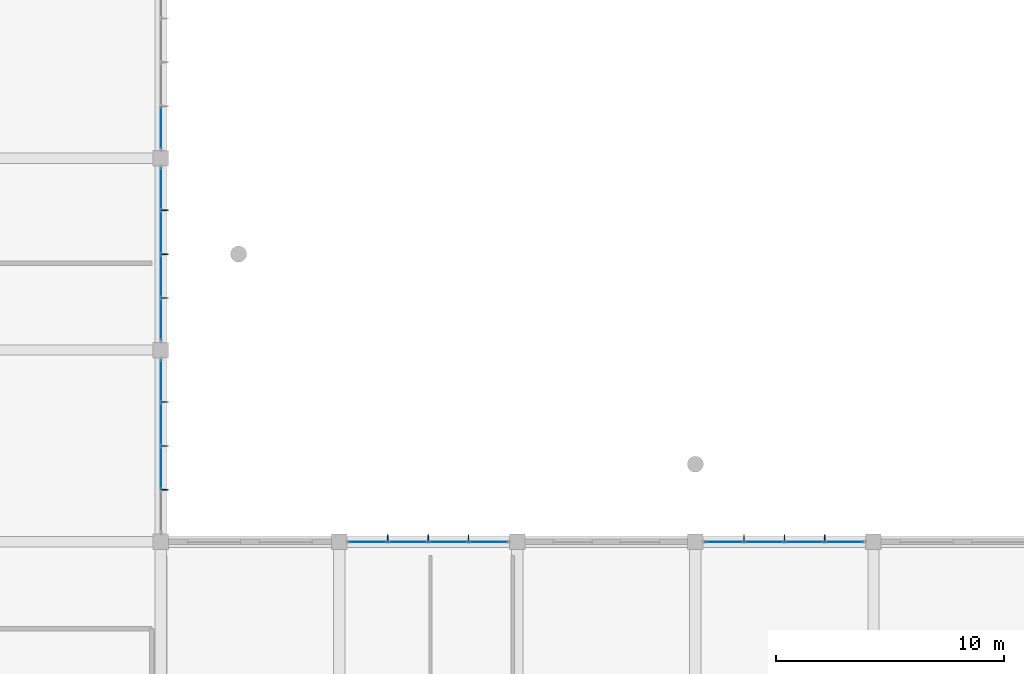
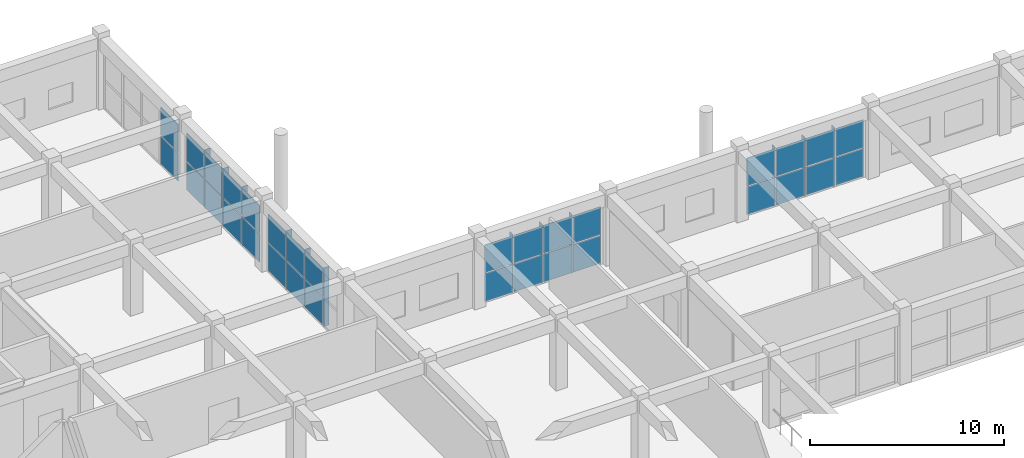
# One storey, part 151 of 175: 44 plates, 5 elements without a shape of their own.
"""IFC4 building model written with IfcOpenShell, lengths in metres."""

from ifc_helpers import new_model, si_unit, direction, frame, origin, origin_2d, place, context, subcontext, project, spatial, polyline, rectangle, outline, extrude, material, layer, layer_set, type_object, element, aggregate, save


model = new_model("IFC4")

# Units and contexts
model_context = context("Model", 3, precision=1e-05, world=origin(), true_north=direction((0.0, 1.0)))
body_context = subcontext(model_context, "Body", "Model", "MODEL_VIEW")
ifc_project = project(units=[si_unit("LENGTHUNIT", "METRE"), si_unit("AREAUNIT", "SQUARE_METRE"), si_unit("VOLUMEUNIT", "CUBIC_METRE"), si_unit("PLANEANGLEUNIT", "RADIAN"), si_unit("MASSUNIT", "GRAM", prefix="KILO")], contexts=[model_context])

# Site, building, storey
site_placement = place(None, origin())
site = spatial("IfcSite", under=ifc_project, at=site_placement, CompositionType="ELEMENT")
building_placement = place(site_placement, origin())
building = spatial("IfcBuilding", under=site, at=building_placement, Name="Zizhar Promenade General Hospital", CompositionType="ELEMENT")
storey_placement = place(building_placement, frame((0.0, 0.0, 4.800048828125)))
storey = spatial("IfcBuildingStorey", under=building, at=storey_placement, Name="L01", CompositionType="ELEMENT", Elevation=4.800048828125)

# Curtain wall, plates
ifc_material_1 = material(Name="Anodised aluminium 6063-T6 and low-E glass", Category="aluminium")
ifc_layer_1 = layer(ifc_material_1, 0.159912109375)
ifc_layer_set_1 = layer_set([ifc_layer_1], Name="Anodised aluminium 6063-T6 and low-E glass")
curtain_wall_type_1 = type_object("IfcCurtainWallType", Name="CW-DT-MOD1", PredefinedType="NOTDEFINED", material=ifc_layer_set_1)
curtain_wall_1_placement = place(storey_placement, origin())
curtain_wall_1 = element("IfcCurtainWall", 1, at=curtain_wall_1_placement, inside=storey, type_object=curtain_wall_type_1, Name="Surgical East Glazed Curtain Wall L01-13", PredefinedType="NOTDEFINED")
ifc_material_2 = material(Name="Low-E solar-control glass", Category="glass")
ifc_layer_2 = layer(ifc_material_2, 0.031982421875)
ifc_layer_set_2 = layer_set([ifc_layer_2], Name="Low-E solar-control glass")
plate_type_1 = type_object("IfcPlateType", Name="CWP-GLZ-32", PredefinedType="CURTAIN_PANEL", material=ifc_layer_set_2)
plate_1_placement = place(storey_placement, frame((132.60009765625, 116.260009765625, 0.06005859375), z_axis=(0.0, 0.0, 1.0), x_axis=(0.0, -1.0, 0.0)))
plate_1 = element("IfcPlate", 2, at=plate_1_placement, type_object=plate_type_1, Name="CW-07 panel 1.1", PredefinedType="CURTAIN_PANEL", context=body_context, shape_type="SweptSolid", body=[
    extrude(rectangle(XDim=1.800048828125, YDim=0.031982421875, at=origin_2d()), origin(), (0.0, 0.0, 1.0), 1.75),
])
plate_2_placement = place(storey_placement, frame((132.60009765625, 116.260009765625, 1.869873046875), z_axis=(0.0, 0.0, 1.0), x_axis=(0.0, -1.0, 0.0)))
plate_2 = element("IfcPlate", 3, at=plate_2_placement, type_object=plate_type_1, Name="CW-07 panel 1.2", PredefinedType="CURTAIN_PANEL", context=body_context, shape_type="SweptSolid", body=[
    extrude(rectangle(XDim=1.800048828125, YDim=0.031982421875, at=origin_2d()), origin(), (0.0, 0.0, 1.0), 1.75),
])
plate_3_placement = place(storey_placement, frame((132.60009765625, 114.360107421875, 0.06005859375), z_axis=(0.0, 0.0, 1.0), x_axis=(0.0, -1.0, 0.0)))
plate_3 = element("IfcPlate", 4, at=plate_3_placement, type_object=plate_type_1, Name="CW-07 panel 2.1", PredefinedType="CURTAIN_PANEL", context=body_context, shape_type="SweptSolid", body=[
    extrude(rectangle(XDim=1.840087890625, YDim=0.031982421875, at=origin_2d()), origin(), (0.0, 0.0, 1.0), 1.75),
])
plate_4_placement = place(storey_placement, frame((132.60009765625, 114.360107421875, 1.869873046875), z_axis=(0.0, 0.0, 1.0), x_axis=(0.0, -1.0, 0.0)))
plate_4 = element("IfcPlate", 5, at=plate_4_placement, type_object=plate_type_1, Name="CW-07 panel 2.2", PredefinedType="CURTAIN_PANEL", context=body_context, shape_type="SweptSolid", body=[
    extrude(rectangle(XDim=1.840087890625, YDim=0.031982421875, at=origin_2d()), origin(), (0.0, 0.0, 1.0), 1.75),
])
plate_5_placement = place(storey_placement, frame((132.60009765625, 112.43994140625, 0.06005859375), z_axis=(0.0, 0.0, 1.0), x_axis=(0.0, -1.0, 0.0)))
plate_5 = element("IfcPlate", 6, at=plate_5_placement, type_object=plate_type_1, Name="CW-07 panel 3.1", PredefinedType="CURTAIN_PANEL", context=body_context, shape_type="SweptSolid", body=[
    extrude(rectangle(XDim=1.840087890625, YDim=0.031982421875, at=origin_2d()), origin(), (0.0, 0.0, 1.0), 1.75),
])
plate_6_placement = place(storey_placement, frame((132.60009765625, 112.43994140625, 1.869873046875), z_axis=(0.0, 0.0, 1.0), x_axis=(0.0, -1.0, 0.0)))
plate_6 = element("IfcPlate", 7, at=plate_6_placement, type_object=plate_type_1, Name="CW-07 panel 3.2", PredefinedType="CURTAIN_PANEL", context=body_context, shape_type="SweptSolid", body=[
    extrude(rectangle(XDim=1.840087890625, YDim=0.031982421875, at=origin_2d()), origin(), (0.0, 0.0, 1.0), 1.75),
])
aggregate(curtain_wall_1, [plate_1, plate_2, plate_3, plate_4, plate_5, plate_6])

curtain_wall_2_placement = place(storey_placement, origin())
curtain_wall_2 = element("IfcCurtainWall", 8, at=curtain_wall_2_placement, inside=storey, type_object=curtain_wall_type_1, Name="Surgical East Glazed Curtain Wall L01-14", PredefinedType="NOTDEFINED")
plate_7_placement = place(storey_placement, frame((132.60009765625, 124.659912109375, 0.06005859375), z_axis=(0.0, 0.0, 1.0), x_axis=(0.0, -1.0, 0.0)))
plate_7 = element("IfcPlate", 9, at=plate_7_placement, type_object=plate_type_1, Name="CW-07 panel 1.1", PredefinedType="CURTAIN_PANEL", context=body_context, shape_type="SweptSolid", body=[
    extrude(rectangle(XDim=1.800048828125, YDim=0.031982421875, at=origin_2d()), origin(), (0.0, 0.0, 1.0), 1.75),
])
plate_8_placement = place(storey_placement, frame((132.60009765625, 124.659912109375, 1.869873046875), z_axis=(0.0, 0.0, 1.0), x_axis=(0.0, -1.0, 0.0)))
plate_8 = element("IfcPlate", 10, at=plate_8_placement, type_object=plate_type_1, Name="CW-07 panel 1.2", PredefinedType="CURTAIN_PANEL", context=body_context, shape_type="SweptSolid", body=[
    extrude(rectangle(XDim=1.800048828125, YDim=0.031982421875, at=origin_2d()), origin(), (0.0, 0.0, 1.0), 1.75),
])
plate_9_placement = place(storey_placement, frame((132.60009765625, 122.760009765625, 0.06005859375), z_axis=(0.0, 0.0, 1.0), x_axis=(0.0, -1.0, 0.0)))
plate_9 = element("IfcPlate", 11, at=plate_9_placement, type_object=plate_type_1, Name="CW-07 panel 2.1", PredefinedType="CURTAIN_PANEL", context=body_context, shape_type="SweptSolid", body=[
    extrude(rectangle(XDim=1.840087890625, YDim=0.031982421875, at=origin_2d()), origin(), (0.0, 0.0, 1.0), 1.75),
])
plate_10_placement = place(storey_placement, frame((132.60009765625, 122.760009765625, 1.869873046875), z_axis=(0.0, 0.0, 1.0), x_axis=(0.0, -1.0, 0.0)))
plate_10 = element("IfcPlate", 12, at=plate_10_placement, type_object=plate_type_1, Name="CW-07 panel 2.2", PredefinedType="CURTAIN_PANEL", context=body_context, shape_type="SweptSolid", body=[
    extrude(rectangle(XDim=1.840087890625, YDim=0.031982421875, at=origin_2d()), origin(), (0.0, 0.0, 1.0), 1.75),
])
plate_11_placement = place(storey_placement, frame((132.60009765625, 120.840087890625, 0.06005859375), z_axis=(0.0, 0.0, 1.0), x_axis=(0.0, -1.0, 0.0)))
plate_11 = element("IfcPlate", 13, at=plate_11_placement, type_object=plate_type_1, Name="CW-07 panel 3.1", PredefinedType="CURTAIN_PANEL", context=body_context, shape_type="SweptSolid", body=[
    extrude(rectangle(XDim=1.840087890625, YDim=0.031982421875, at=origin_2d()), origin(), (0.0, 0.0, 1.0), 1.75),
])
plate_12_placement = place(storey_placement, frame((132.60009765625, 120.840087890625, 1.869873046875), z_axis=(0.0, 0.0, 1.0), x_axis=(0.0, -1.0, 0.0)))
plate_12 = element("IfcPlate", 14, at=plate_12_placement, type_object=plate_type_1, Name="CW-07 panel 3.2", PredefinedType="CURTAIN_PANEL", context=body_context, shape_type="SweptSolid", body=[
    extrude(rectangle(XDim=1.840087890625, YDim=0.031982421875, at=origin_2d()), origin(), (0.0, 0.0, 1.0), 1.75),
])
plate_13_placement = place(storey_placement, frame((132.60009765625, 118.93994140625, 0.06005859375), z_axis=(0.0, 0.0, 1.0), x_axis=(0.0, -1.0, 0.0)))
plate_13 = element("IfcPlate", 15, at=plate_13_placement, type_object=plate_type_1, Name="CW-07 panel 4.1", PredefinedType="CURTAIN_PANEL", context=body_context, shape_type="SweptSolid", body=[
    extrude(rectangle(XDim=1.800048828125, YDim=0.031982421875, at=origin_2d()), origin(), (0.0, 0.0, 1.0), 1.75),
])
plate_14_placement = place(storey_placement, frame((132.60009765625, 118.93994140625, 1.869873046875), z_axis=(0.0, 0.0, 1.0), x_axis=(0.0, -1.0, 0.0)))
plate_14 = element("IfcPlate", 16, at=plate_14_placement, type_object=plate_type_1, Name="CW-07 panel 4.2", PredefinedType="CURTAIN_PANEL", context=body_context, shape_type="SweptSolid", body=[
    extrude(rectangle(XDim=1.800048828125, YDim=0.031982421875, at=origin_2d()), origin(), (0.0, 0.0, 1.0), 1.75),
])
aggregate(curtain_wall_2, [plate_7, plate_8, plate_9, plate_10, plate_11, plate_12, plate_13, plate_14])

curtain_wall_3_placement = place(storey_placement, origin())
curtain_wall_3 = element("IfcCurtainWall", 17, at=curtain_wall_3_placement, inside=storey, type_object=curtain_wall_type_1, Name="Surgical East Glazed Curtain Wall L01-15", PredefinedType="NOTDEFINED")
plate_15_placement = place(storey_placement, frame((132.60009765625, 127.340087890625, 0.06005859375), z_axis=(0.0, 0.0, 1.0), x_axis=(0.0, -1.0, 0.0)))
plate_15 = element("IfcPlate", 18, at=plate_15_placement, type_object=plate_type_1, Name="CW-07 panel 4.1", PredefinedType="CURTAIN_PANEL", context=body_context, shape_type="SweptSolid", body=[
    extrude(rectangle(XDim=1.800048828125, YDim=0.031982421875, at=origin_2d()), origin(), (0.0, 0.0, 1.0), 1.75),
])
plate_16_placement = place(storey_placement, frame((132.60009765625, 127.340087890625, 1.869873046875), z_axis=(0.0, 0.0, 1.0), x_axis=(0.0, -1.0, 0.0)))
plate_16 = element("IfcPlate", 19, at=plate_16_placement, type_object=plate_type_1, Name="CW-07 panel 4.2", PredefinedType="CURTAIN_PANEL", context=body_context, shape_type="SweptSolid", body=[
    extrude(rectangle(XDim=1.800048828125, YDim=0.031982421875, at=origin_2d()), origin(), (0.0, 0.0, 1.0), 1.75),
])
aggregate(curtain_wall_3, [plate_15, plate_16])

ifc_material_3 = material(Name="Anodised aluminium 6063-T6 and low-E glass", Category="aluminium")
ifc_layer_3 = layer(ifc_material_3, 0.159912109375)
ifc_layer_set_3 = layer_set([ifc_layer_3], Name="Anodised aluminium 6063-T6 and low-E glass")
curtain_wall_type_2 = type_object("IfcCurtainWallType", Name="CW-CLN-EXT", PredefinedType="NOTDEFINED", material=ifc_layer_set_3)
curtain_wall_4_placement = place(storey_placement, origin())
curtain_wall_4 = element("IfcCurtainWall", 20, at=curtain_wall_4_placement, inside=storey, type_object=curtain_wall_type_2, Name="Outpatient North Curtain Wall L01-18", PredefinedType="NOTDEFINED")
plate_17_placement = place(storey_placement, frame((141.6650390625, 109.199951171875, 0.06005859375), z_axis=(0.0, 0.0, 1.0), x_axis=(1.0, 0.0, 0.0)))
plate_17 = element("IfcPlate", 21, at=plate_17_placement, type_object=plate_type_1, Name="CW-09 panel 1.1", PredefinedType="CURTAIN_PANEL", context=body_context, shape_type="SweptSolid", body=[
    extrude(rectangle(XDim=1.64990234375, YDim=0.031982421875, at=origin_2d()), origin(), (0.0, 0.0, 1.0), 1.75),
])
plate_18_placement = place(storey_placement, frame((141.6650390625, 109.199951171875, 1.869873046875), z_axis=(0.0, 0.0, 1.0), x_axis=(1.0, 0.0, 0.0)))
plate_18 = element("IfcPlate", 22, at=plate_18_placement, type_object=plate_type_1, Name="CW-09 panel 1.2", PredefinedType="CURTAIN_PANEL", context=body_context, shape_type="SweptSolid", body=[
    extrude(rectangle(XDim=1.64990234375, YDim=0.031982421875, at=origin_2d()), origin(), (0.0, 0.0, 1.0), 1.75),
])
plate_19_placement = place(storey_placement, frame((143.4150390625, 109.199951171875, 0.06005859375), z_axis=(0.0, 0.0, 1.0), x_axis=(1.0, 0.0, 0.0)))
plate_19 = element("IfcPlate", 23, at=plate_19_placement, type_object=plate_type_1, Name="CW-09 panel 2.1", PredefinedType="CURTAIN_PANEL", context=body_context, shape_type="SweptSolid", body=[
    extrude(rectangle(XDim=1.68994140625, YDim=0.031982421875, at=origin_2d()), origin(), (0.0, 0.0, 1.0), 1.75),
])
plate_20_placement = place(storey_placement, frame((143.4150390625, 109.199951171875, 1.869873046875), z_axis=(0.0, 0.0, 1.0), x_axis=(1.0, 0.0, 0.0)))
plate_20 = element("IfcPlate", 24, at=plate_20_placement, type_object=plate_type_1, Name="CW-09 panel 2.2", PredefinedType="CURTAIN_PANEL", context=body_context, shape_type="SweptSolid", body=[
    extrude(rectangle(XDim=1.68994140625, YDim=0.031982421875, at=origin_2d()), origin(), (0.0, 0.0, 1.0), 1.75),
])
plate_21_placement = place(storey_placement, frame((145.18505859375, 109.199951171875, 0.06005859375), z_axis=(0.0, 0.0, 1.0), x_axis=(1.0, 0.0, 0.0)))
plate_21 = element("IfcPlate", 25, at=plate_21_placement, type_object=plate_type_1, Name="CW-09 panel 3.1", PredefinedType="CURTAIN_PANEL", context=body_context, shape_type="SweptSolid", body=[
    extrude(rectangle(XDim=1.68994140625, YDim=0.031982421875, at=origin_2d()), origin(), (0.0, 0.0, 1.0), 1.75),
])
plate_22_placement = place(storey_placement, frame((145.18505859375, 109.199951171875, 1.869873046875), z_axis=(0.0, 0.0, 1.0), x_axis=(1.0, 0.0, 0.0)))
plate_22 = element("IfcPlate", 26, at=plate_22_placement, type_object=plate_type_1, Name="CW-09 panel 3.2", PredefinedType="CURTAIN_PANEL", context=body_context, shape_type="SweptSolid", body=[
    extrude(rectangle(XDim=1.68994140625, YDim=0.031982421875, at=origin_2d()), origin(), (0.0, 0.0, 1.0), 1.75),
])
plate_23_placement = place(storey_placement, frame((146.93505859375, 109.199951171875, 0.06005859375), z_axis=(0.0, 0.0, 1.0), x_axis=(1.0, 0.0, 0.0)))
plate_23 = element("IfcPlate", 27, at=plate_23_placement, type_object=plate_type_1, Name="CW-09 panel 4.1", PredefinedType="CURTAIN_PANEL", context=body_context, shape_type="SweptSolid", body=[
    extrude(rectangle(XDim=1.64990234375, YDim=0.031982421875, at=origin_2d()), origin(), (0.0, 0.0, 1.0), 1.75),
])
plate_24_placement = place(storey_placement, frame((146.93505859375, 109.199951171875, 1.869873046875), z_axis=(0.0, 0.0, 1.0), x_axis=(1.0, 0.0, 0.0)))
plate_24 = element("IfcPlate", 28, at=plate_24_placement, type_object=plate_type_1, Name="CW-09 panel 4.2", PredefinedType="CURTAIN_PANEL", context=body_context, shape_type="SweptSolid", body=[
    extrude(rectangle(XDim=1.64990234375, YDim=0.031982421875, at=origin_2d()), origin(), (0.0, 0.0, 1.0), 1.75),
])
aggregate(curtain_wall_4, [plate_17, plate_18, plate_19, plate_20, plate_21, plate_22, plate_23, plate_24])

curtain_wall_5_placement = place(storey_placement, origin())
curtain_wall_5 = element("IfcCurtainWall", 29, at=curtain_wall_5_placement, inside=storey, type_object=curtain_wall_type_2, Name="Outpatient North Curtain Wall L01-20", PredefinedType="NOTDEFINED")
plate_25_placement = place(storey_placement, frame((157.264892578125, 109.199951171875, 0.06005859375), z_axis=(0.0, 0.0, 1.0), x_axis=(1.0, 0.0, 0.0)))
plate_25 = element("IfcPlate", 30, at=plate_25_placement, type_object=plate_type_1, Name="CW-09 panel 1.1", PredefinedType="CURTAIN_PANEL", context=body_context, shape_type="SweptSolid", body=[
    extrude(rectangle(XDim=1.64990234375, YDim=0.031982421875, at=origin_2d()), origin(), (0.0, 0.0, 1.0), 1.75),
])
plate_26_placement = place(storey_placement, frame((157.264892578125, 109.199951171875, 1.869873046875), z_axis=(0.0, 0.0, 1.0), x_axis=(1.0, 0.0, 0.0)))
plate_26 = element("IfcPlate", 31, at=plate_26_placement, type_object=plate_type_1, Name="CW-09 panel 1.2", PredefinedType="CURTAIN_PANEL", context=body_context, shape_type="SweptSolid", body=[
    extrude(rectangle(XDim=1.64990234375, YDim=0.031982421875, at=origin_2d()), origin(), (0.0, 0.0, 1.0), 1.75),
])
plate_27_placement = place(storey_placement, frame((159.014892578125, 109.199951171875, 0.06005859375), z_axis=(0.0, 0.0, 1.0), x_axis=(1.0, 0.0, 0.0)))
plate_27 = element("IfcPlate", 32, at=plate_27_placement, type_object=plate_type_1, Name="CW-09 panel 2.1", PredefinedType="CURTAIN_PANEL", context=body_context, shape_type="SweptSolid", body=[
    extrude(rectangle(XDim=1.68994140625, YDim=0.031982421875, at=origin_2d()), origin(), (0.0, 0.0, 1.0), 1.75),
])
plate_28_placement = place(storey_placement, frame((159.014892578125, 109.199951171875, 1.869873046875), z_axis=(0.0, 0.0, 1.0), x_axis=(1.0, 0.0, 0.0)))
plate_28 = element("IfcPlate", 33, at=plate_28_placement, type_object=plate_type_1, Name="CW-09 panel 2.2", PredefinedType="CURTAIN_PANEL", context=body_context, shape_type="SweptSolid", body=[
    extrude(rectangle(XDim=1.68994140625, YDim=0.031982421875, at=origin_2d()), origin(), (0.0, 0.0, 1.0), 1.75),
])
plate_29_placement = place(storey_placement, frame((160.784912109375, 109.199951171875, 0.06005859375), z_axis=(0.0, 0.0, 1.0), x_axis=(1.0, 0.0, 0.0)))
plate_29 = element("IfcPlate", 34, at=plate_29_placement, type_object=plate_type_1, Name="CW-09 panel 3.1", PredefinedType="CURTAIN_PANEL", context=body_context, shape_type="SweptSolid", body=[
    extrude(rectangle(XDim=1.68994140625, YDim=0.031982421875, at=origin_2d()), origin(), (0.0, 0.0, 1.0), 1.75),
])
plate_30_placement = place(storey_placement, frame((160.784912109375, 109.199951171875, 1.869873046875), z_axis=(0.0, 0.0, 1.0), x_axis=(1.0, 0.0, 0.0)))
plate_30 = element("IfcPlate", 35, at=plate_30_placement, type_object=plate_type_1, Name="CW-09 panel 3.2", PredefinedType="CURTAIN_PANEL", context=body_context, shape_type="SweptSolid", body=[
    extrude(rectangle(XDim=1.68994140625, YDim=0.031982421875, at=origin_2d()), origin(), (0.0, 0.0, 1.0), 1.75),
])
plate_31_placement = place(storey_placement, frame((162.534912109375, 109.199951171875, 0.06005859375), z_axis=(0.0, 0.0, 1.0), x_axis=(1.0, 0.0, 0.0)))
plate_31 = element("IfcPlate", 36, at=plate_31_placement, type_object=plate_type_1, Name="CW-09 panel 4.1", PredefinedType="CURTAIN_PANEL", context=body_context, shape_type="SweptSolid", body=[
    extrude(rectangle(XDim=1.64990234375, YDim=0.031982421875, at=origin_2d()), origin(), (0.0, 0.0, 1.0), 1.75),
])
plate_32_placement = place(storey_placement, frame((162.534912109375, 109.199951171875, 1.869873046875), z_axis=(0.0, 0.0, 1.0), x_axis=(1.0, 0.0, 0.0)))
plate_32 = element("IfcPlate", 37, at=plate_32_placement, type_object=plate_type_1, Name="CW-09 panel 4.2", PredefinedType="CURTAIN_PANEL", context=body_context, shape_type="SweptSolid", body=[
    extrude(rectangle(XDim=1.64990234375, YDim=0.031982421875, at=origin_2d()), origin(), (0.0, 0.0, 1.0), 1.75),
])
aggregate(curtain_wall_5, [plate_25, plate_26, plate_27, plate_28, plate_29, plate_30, plate_31, plate_32])

# Plates
ifc_material_4 = material(Name="Anodised aluminium 6063-T6", Category="aluminium")
ifc_layer_4 = layer(ifc_material_4, 0.033935546875)
ifc_layer_set_4 = layer_set([ifc_layer_4], Name="Anodised aluminium 6063-T6")
plate_type_2 = type_object("IfcPlateType", Name="FIN-ALU-320", PredefinedType="USERDEFINED", material=ifc_layer_set_4)
plate_33_placement = place(storey_placement, origin())
element("IfcPlate", 38, at=plate_33_placement, inside=storey, type_object=plate_type_2, Name="Surgical East Glazed Curtain Wall L01-13 Solar Fin 1", ObjectType="SOLAR_SHADE", PredefinedType="USERDEFINED", context=body_context, shape_type="SweptSolid", body=[
    extrude(outline(polyline([(132.60009765625, 115.3369140625), (132.60009765625, 115.302978515625), (132.919921875, 115.302978515625), (132.919921875, 115.3369140625), (132.60009765625, 115.3369140625)])), origin(), (0.0, 0.0, 1.0), 3.679931640625),
])
plate_34_placement = place(storey_placement, origin())
element("IfcPlate", 39, at=plate_34_placement, inside=storey, type_object=plate_type_2, Name="Surgical East Glazed Curtain Wall L01-13 Solar Fin 2", ObjectType="SOLAR_SHADE", PredefinedType="USERDEFINED", context=body_context, shape_type="SweptSolid", body=[
    extrude(outline(polyline([(132.60009765625, 113.4169921875), (132.60009765625, 113.383056640625), (132.919921875, 113.383056640625), (132.919921875, 113.4169921875), (132.60009765625, 113.4169921875)])), origin(), (0.0, 0.0, 1.0), 3.679931640625),
])
plate_35_placement = place(storey_placement, origin())
element("IfcPlate", 40, at=plate_35_placement, inside=storey, type_object=plate_type_2, Name="Surgical East Glazed Curtain Wall L01-13 Solar Fin 3", ObjectType="SOLAR_SHADE", PredefinedType="USERDEFINED", context=body_context, shape_type="SweptSolid", body=[
    extrude(outline(polyline([(132.60009765625, 111.4970703125), (132.60009765625, 111.462890625), (132.919921875, 111.462890625), (132.919921875, 111.4970703125), (132.60009765625, 111.4970703125)])), origin(), (0.0, 0.0, 1.0), 3.679931640625),
])
plate_36_placement = place(storey_placement, origin())
element("IfcPlate", 41, at=plate_36_placement, inside=storey, type_object=plate_type_2, Name="Surgical East Glazed Curtain Wall L01-14 Solar Fin 1", ObjectType="SOLAR_SHADE", PredefinedType="USERDEFINED", context=body_context, shape_type="SweptSolid", body=[
    extrude(outline(polyline([(132.60009765625, 123.737060546875), (132.60009765625, 123.702880859375), (132.919921875, 123.702880859375), (132.919921875, 123.737060546875), (132.60009765625, 123.737060546875)])), origin(), (0.0, 0.0, 1.0), 3.679931640625),
])
plate_37_placement = place(storey_placement, origin())
element("IfcPlate", 42, at=plate_37_placement, inside=storey, type_object=plate_type_2, Name="Surgical East Glazed Curtain Wall L01-14 Solar Fin 2", ObjectType="SOLAR_SHADE", PredefinedType="USERDEFINED", context=body_context, shape_type="SweptSolid", body=[
    extrude(outline(polyline([(132.60009765625, 121.81689453125), (132.60009765625, 121.782958984375), (132.919921875, 121.782958984375), (132.919921875, 121.81689453125), (132.60009765625, 121.81689453125)])), origin(), (0.0, 0.0, 1.0), 3.679931640625),
])
plate_38_placement = place(storey_placement, origin())
element("IfcPlate", 43, at=plate_38_placement, inside=storey, type_object=plate_type_2, Name="Surgical East Glazed Curtain Wall L01-14 Solar Fin 3", ObjectType="SOLAR_SHADE", PredefinedType="USERDEFINED", context=body_context, shape_type="SweptSolid", body=[
    extrude(outline(polyline([(132.60009765625, 119.89697265625), (132.60009765625, 119.863037109375), (132.919921875, 119.863037109375), (132.919921875, 119.89697265625), (132.60009765625, 119.89697265625)])), origin(), (0.0, 0.0, 1.0), 3.679931640625),
])
plate_39_placement = place(storey_placement, origin())
element("IfcPlate", 44, at=plate_39_placement, inside=storey, type_object=plate_type_2, Name="Outpatient North Curtain Wall L01-18 Solar Fin 1", ObjectType="SOLAR_SHADE", PredefinedType="USERDEFINED", context=body_context, shape_type="SweptSolid", body=[
    extrude(outline(polyline([(142.512939453125, 109.199951171875), (142.547119140625, 109.199951171875), (142.547119140625, 109.52001953125), (142.512939453125, 109.52001953125), (142.512939453125, 109.199951171875)])), origin(), (0.0, 0.0, 1.0), 3.679931640625),
])
plate_40_placement = place(storey_placement, origin())
element("IfcPlate", 45, at=plate_40_placement, inside=storey, type_object=plate_type_2, Name="Outpatient North Curtain Wall L01-18 Solar Fin 2", ObjectType="SOLAR_SHADE", PredefinedType="USERDEFINED", context=body_context, shape_type="SweptSolid", body=[
    extrude(outline(polyline([(144.282958984375, 109.199951171875), (144.31689453125, 109.199951171875), (144.31689453125, 109.52001953125), (144.282958984375, 109.52001953125), (144.282958984375, 109.199951171875)])), origin(), (0.0, 0.0, 1.0), 3.679931640625),
])
plate_41_placement = place(storey_placement, origin())
element("IfcPlate", 46, at=plate_41_placement, inside=storey, type_object=plate_type_2, Name="Outpatient North Curtain Wall L01-18 Solar Fin 3", ObjectType="SOLAR_SHADE", PredefinedType="USERDEFINED", context=body_context, shape_type="SweptSolid", body=[
    extrude(outline(polyline([(146.052978515625, 109.199951171875), (146.0869140625, 109.199951171875), (146.0869140625, 109.52001953125), (146.052978515625, 109.52001953125), (146.052978515625, 109.199951171875)])), origin(), (0.0, 0.0, 1.0), 3.679931640625),
])
plate_42_placement = place(storey_placement, origin())
element("IfcPlate", 47, at=plate_42_placement, inside=storey, type_object=plate_type_2, Name="Outpatient North Curtain Wall L01-20 Solar Fin 1", ObjectType="SOLAR_SHADE", PredefinedType="USERDEFINED", context=body_context, shape_type="SweptSolid", body=[
    extrude(outline(polyline([(158.113037109375, 109.199951171875), (158.14697265625, 109.199951171875), (158.14697265625, 109.52001953125), (158.113037109375, 109.52001953125), (158.113037109375, 109.199951171875)])), origin(), (0.0, 0.0, 1.0), 3.679931640625),
])
plate_43_placement = place(storey_placement, origin())
element("IfcPlate", 48, at=plate_43_placement, inside=storey, type_object=plate_type_2, Name="Outpatient North Curtain Wall L01-20 Solar Fin 2", ObjectType="SOLAR_SHADE", PredefinedType="USERDEFINED", context=body_context, shape_type="SweptSolid", body=[
    extrude(outline(polyline([(159.883056640625, 109.199951171875), (159.9169921875, 109.199951171875), (159.9169921875, 109.52001953125), (159.883056640625, 109.52001953125), (159.883056640625, 109.199951171875)])), origin(), (0.0, 0.0, 1.0), 3.679931640625),
])
plate_44_placement = place(storey_placement, origin())
element("IfcPlate", 49, at=plate_44_placement, inside=storey, type_object=plate_type_2, Name="Outpatient North Curtain Wall L01-20 Solar Fin 3", ObjectType="SOLAR_SHADE", PredefinedType="USERDEFINED", context=body_context, shape_type="SweptSolid", body=[
    extrude(outline(polyline([(161.653076171875, 109.199951171875), (161.68701171875, 109.199951171875), (161.68701171875, 109.52001953125), (161.653076171875, 109.52001953125), (161.653076171875, 109.199951171875)])), origin(), (0.0, 0.0, 1.0), 3.679931640625),
])

save(model, "model.ifc")
